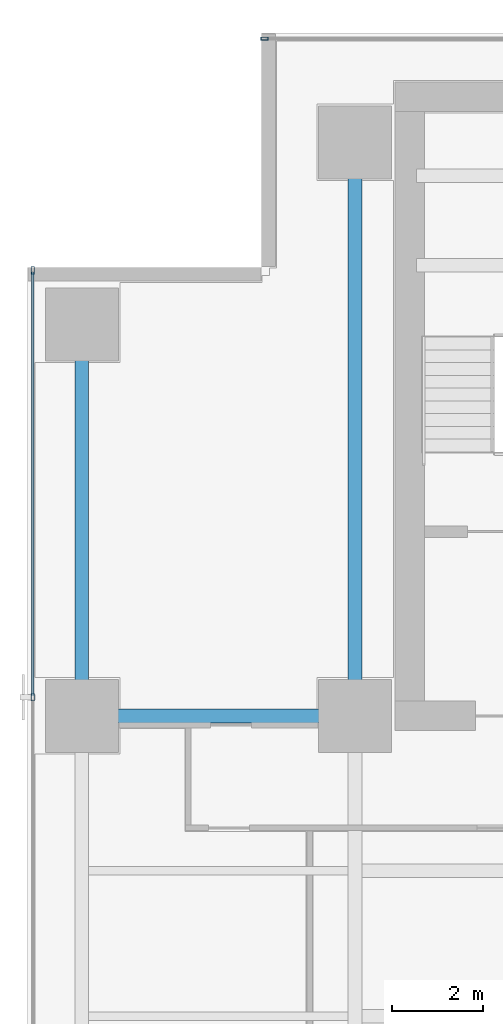
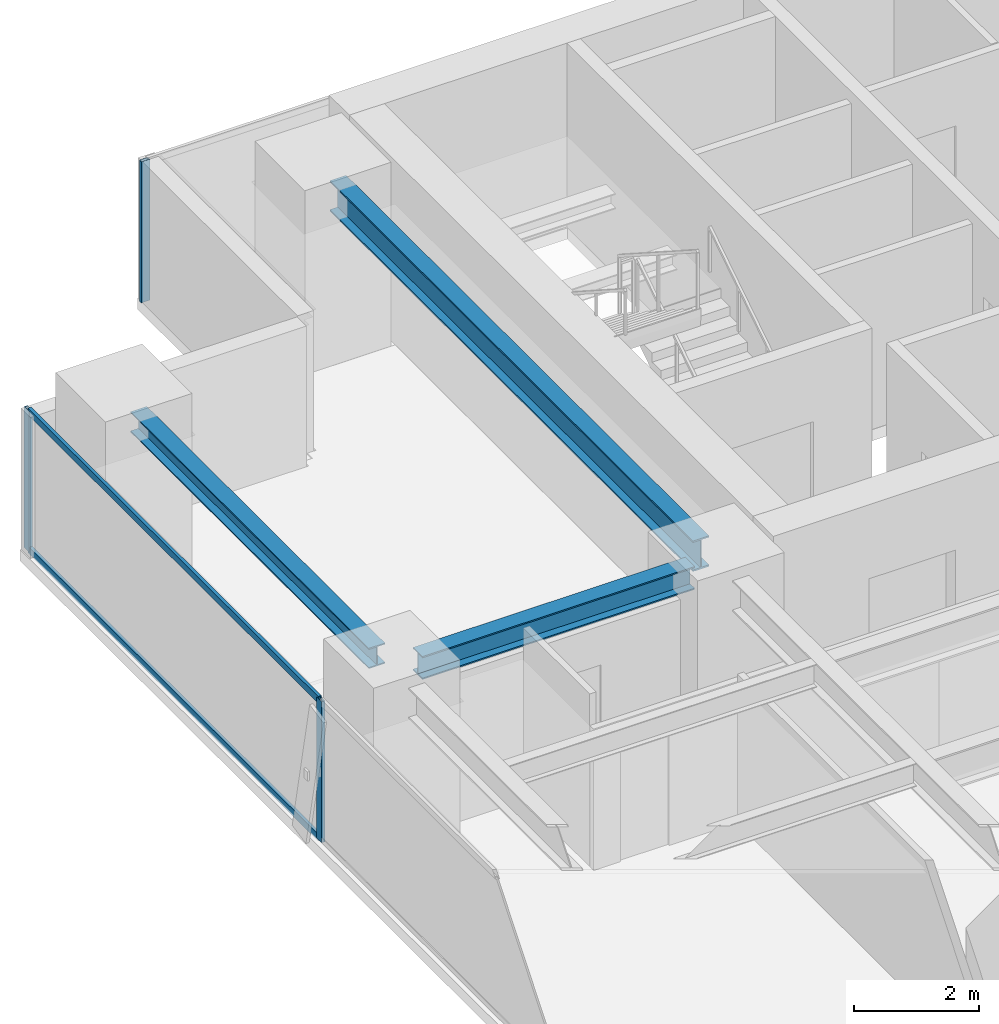
# One storey, part 14 of 28: 5 members, 3 beams, 2 elements without a shape of their own.
"""IFC4 building model written with IfcOpenShell, lengths in metres."""

from ifc_helpers import new_model, si_unit, direction, frame, origin, origin_2d, place, context, subcontext, project, spatial, hollow_rectangle, i_section, extrude, source, transform, mapped, material, layer, layer_set, material_profile, profile_set, type_object, element, aggregate, save


model = new_model("IFC4")

# Units and contexts
model_context = context("Model", 3, precision=1e-05, world=origin(), true_north=direction((0.0, 1.0)))
body_context = subcontext(model_context, "Body", "Model", "MODEL_VIEW")
ifc_project = project(units=[si_unit("LENGTHUNIT", "METRE"), si_unit("AREAUNIT", "SQUARE_METRE"), si_unit("VOLUMEUNIT", "CUBIC_METRE"), si_unit("PLANEANGLEUNIT", "RADIAN"), si_unit("MASSUNIT", "GRAM", prefix="KILO")], contexts=[model_context])

# Site, building, storey
site_placement = place(None, origin())
site = spatial("IfcSite", under=ifc_project, at=site_placement, CompositionType="ELEMENT")
building_placement = place(site_placement, origin())
building = spatial("IfcBuilding", under=site, at=building_placement, Name="Sumidabori Civic Tower", CompositionType="ELEMENT")
storey_placement = place(building_placement, frame((0.0, 0.0, 182.0)))
storey = spatial("IfcBuildingStorey", under=building, at=storey_placement, Name="L47", CompositionType="ELEMENT", Elevation=182.0)

# Beams
ifc_material_1 = material(Name="Steel SN490", Category="steel")
ifc_material_profile_1 = material_profile(ifc_material_1, i_section(OverallWidth=0.300048828125, OverallDepth=0.39990234375, WebThickness=0.013427734375, FlangeThickness=0.02392578125, at=origin_2d()), Name="HE 400 B")
ifc_profile_set_1 = profile_set([ifc_material_profile_1], Name="Steel SN490")
beam_type_1 = type_object("IfcBeamType", Name="BM-GIRD-400", PredefinedType="BEAM", material=ifc_profile_set_1)
shared_shape_1 = source(origin(), body_context, "Body", "SweptSolid", [
    extrude(i_section(OverallWidth=0.300048828125, OverallDepth=0.39990234375, WebThickness=0.013427734375, FlangeThickness=0.02392578125, at=origin_2d()), origin(), (0.0, 0.0, 1.0), 7.64013671875),
])
beam_1_placement = place(storey_placement, frame((-22.800048828125, 10.679931640625, 3.179931640625), z_axis=(0.0, 1.0, 0.0), x_axis=(-1.0, 0.0, 0.0)))
element("IfcBeam", 1, at=beam_1_placement, inside=storey, type_object=beam_type_1, Name="Primary Girder L47 GY-21", PredefinedType="BEAM", context=body_context, shape_type="MappedRepresentation", body=[
    mapped(shared_shape_1, transform((0.0, 0.0, 0.0), x_axis=(1.0, 0.0, 0.0), y_axis=(0.0, 1.0, 0.0), z_axis=(0.0, 0.0, 1.0), scale=1.0)),
])
ifc_material_profile_2 = material_profile(ifc_material_1, i_section(OverallWidth=0.300048828125, OverallDepth=0.60009765625, WebThickness=0.015380859375, FlangeThickness=0.030029296875, at=origin_2d()), Name="HE 600 B")
ifc_profile_set_2 = profile_set([ifc_material_profile_2], Name="Steel SN490")
beam_type_2 = type_object("IfcBeamType", Name="BM-GIRD-600", PredefinedType="BEAM", material=ifc_profile_set_2)
shared_shape_2 = source(origin(), body_context, "Body", "SweptSolid", [
    extrude(i_section(OverallWidth=0.300048828125, OverallDepth=0.60009765625, WebThickness=0.015380859375, FlangeThickness=0.030029296875, at=origin_2d()), origin(), (0.0, 0.0, 1.0), 11.64013671875),
])
beam_2_placement = place(storey_placement, frame((-16.800048828125, 10.679931640625, 3.080078125), z_axis=(0.0, 1.0, 0.0), x_axis=(-1.0, 0.0, 0.0)))
element("IfcBeam", 2, at=beam_2_placement, inside=storey, type_object=beam_type_2, Name="Primary Girder L47 GY-25", PredefinedType="BEAM", context=body_context, shape_type="MappedRepresentation", body=[
    mapped(shared_shape_2, transform((0.0, 0.0, 0.0), x_axis=(1.0, 0.0, 0.0), y_axis=(0.0, 1.0, 0.0), z_axis=(0.0, 0.0, 1.0), scale=1.0)),
])
ifc_material_profile_3 = material_profile(ifc_material_1, i_section(OverallWidth=0.300048828125, OverallDepth=0.449951171875, WebThickness=0.013916015625, FlangeThickness=0.02587890625, at=origin_2d()), Name="HE 450 B")
ifc_profile_set_3 = profile_set([ifc_material_profile_3], Name="Steel SN490")
beam_type_3 = type_object("IfcBeamType", Name="BM-GIRD-450", PredefinedType="BEAM", material=ifc_profile_set_3)
shared_shape_3 = source(origin(), body_context, "Body", "SweptSolid", [
    extrude(i_section(OverallWidth=0.300048828125, OverallDepth=0.449951171875, WebThickness=0.013916015625, FlangeThickness=0.02587890625, at=origin_2d()), origin(), (0.0, 0.0, 1.0), 5.0400390625),
])
beam_3_placement = place(storey_placement, frame((-22.320068359375, 10.199951171875, 3.155029296875), z_axis=(1.0, 0.0, 0.0), x_axis=(0.0, 1.0, 0.0)))
element("IfcBeam", 3, at=beam_3_placement, inside=storey, type_object=beam_type_3, Name="Primary Girder L47 GX-17", PredefinedType="BEAM", context=body_context, shape_type="MappedRepresentation", body=[
    mapped(shared_shape_3, transform((0.0, 0.0, 0.0), x_axis=(1.0, 0.0, 0.0), y_axis=(0.0, 1.0, 0.0), z_axis=(0.0, 0.0, 1.0), scale=1.0)),
])

# Curtain wall, member
ifc_material_2 = material(Name="Anodised Bronze Aluminium AW-6063-T6", Category="aluminium")
ifc_layer = layer(ifc_material_2, 0.179931640625, Name="Anodised Bronze Aluminium AW-6063-T6")
ifc_layer_set = layer_set([ifc_layer], Name="Anodised Bronze Aluminium AW-6063-T6")
curtain_wall_type = type_object("IfcCurtainWallType", Name="CW-SYS-3", PredefinedType="NOTDEFINED", material=ifc_layer_set)
curtain_wall_1_placement = place(storey_placement, origin())
curtain_wall_1 = element("IfcCurtainWall", 4, at=curtain_wall_1_placement, inside=storey, type_object=curtain_wall_type, Name="Curtain Wall CW:L47:R07", PredefinedType="NOTDEFINED")
ifc_material_profile_4 = material_profile(ifc_material_2, hollow_rectangle(XDim=0.06494140625, YDim=0.159912109375, WallThickness=0.0048828125, at=origin_2d()), Name="ALU MULLION 160x65")
ifc_profile_set_4 = profile_set([ifc_material_profile_4], Name="Anodised Bronze Aluminium AW-6063-T6")
member_type_1 = type_object("IfcMemberType", Name="CW-MUL-160", PredefinedType="MULLION", material=ifc_profile_set_4)
shared_shape_4 = source(origin(), body_context, "Body", "SweptSolid", [
    extrude(hollow_rectangle(XDim=0.06494140625, YDim=0.159912109375, WallThickness=0.0048828125, at=origin_2d()), origin(), (0.0, 0.0, 1.0), 2.760009765625),
])
member_1_placement = place(storey_placement, frame((-18.78759765625, 25.080078125, 0.0), z_axis=(0.0, 0.0, 1.0), x_axis=(0.0, -1.0, 0.0)))
member_1 = element("IfcMember", 5, at=member_1_placement, type_object=member_type_1, Name="CW-3 mullion 5", PredefinedType="MULLION", context=body_context, shape_type="MappedRepresentation", body=[
    mapped(shared_shape_4, transform((0.0, 0.0, 0.0), x_axis=(1.0, 0.0, 0.0), y_axis=(0.0, 1.0, 0.0), z_axis=(0.0, 0.0, 1.0), scale=1.0)),
])
aggregate(curtain_wall_1, [member_1])

# Curtain wall, members
curtain_wall_2_placement = place(storey_placement, origin())
curtain_wall_2 = element("IfcCurtainWall", 6, at=curtain_wall_2_placement, inside=storey, type_object=curtain_wall_type, Name="Curtain Wall CW:L47:R10", PredefinedType="NOTDEFINED")
member_2_placement = place(storey_placement, frame((-23.8798828125, 19.987548828125, 0.0), z_axis=(0.0, 0.0, 1.0), x_axis=(1.0, 0.0, 0.0)))
member_2 = element("IfcMember", 7, at=member_2_placement, type_object=member_type_1, Name="CW-3 mullion 1", PredefinedType="MULLION", context=body_context, shape_type="MappedRepresentation", body=[
    mapped(shared_shape_4, transform((0.0, 0.0, 0.0), x_axis=(1.0, 0.0, 0.0), y_axis=(0.0, 1.0, 0.0), z_axis=(0.0, 0.0, 1.0), scale=1.0)),
])
member_3_placement = place(storey_placement, frame((-23.8798828125, 10.610107421875, 0.0), z_axis=(0.0, 0.0, 1.0), x_axis=(1.0, 0.0, 0.0)))
member_3 = element("IfcMember", 8, at=member_3_placement, type_object=member_type_1, Name="CW-3 mullion 2", PredefinedType="MULLION", context=body_context, shape_type="MappedRepresentation", body=[
    mapped(shared_shape_4, transform((0.0, 0.0, 0.0), x_axis=(1.0, 0.0, 0.0), y_axis=(0.0, 1.0, 0.0), z_axis=(0.0, 0.0, 1.0), scale=1.0)),
])
ifc_material_profile_5 = material_profile(ifc_material_2, hollow_rectangle(XDim=0.06005859375, YDim=0.1298828125, WallThickness=0.0048828125, at=origin_2d()), Name="ALU TRANSOM 130x60")
ifc_profile_set_5 = profile_set([ifc_material_profile_5], Name="Anodised Bronze Aluminium AW-6063-T6")
member_type_2 = type_object("IfcMemberType", Name="CW-TRN-130", PredefinedType="USERDEFINED", material=ifc_profile_set_5)
shared_shape_5 = source(origin(), body_context, "Body", "SweptSolid", [
    extrude(hollow_rectangle(XDim=0.06005859375, YDim=0.1298828125, WallThickness=0.0048828125, at=origin_2d()), origin(), (0.0, 0.0, 1.0), 9.3125),
])
member_4_placement = place(storey_placement, frame((-23.8798828125, 19.955078125, 0.030029296875), z_axis=(0.0, -1.0, 0.0), x_axis=(1.0, 0.0, 0.0)))
member_4 = element("IfcMember", 9, at=member_4_placement, type_object=member_type_2, Name="CW-3 transom 1.1", ObjectType="TRANSOM", PredefinedType="USERDEFINED", context=body_context, shape_type="MappedRepresentation", body=[
    mapped(shared_shape_5, transform((0.0, 0.0, 0.0), x_axis=(1.0, 0.0, 0.0), y_axis=(0.0, 1.0, 0.0), z_axis=(0.0, 0.0, 1.0), scale=1.0)),
])
member_5_placement = place(storey_placement, frame((-23.8798828125, 19.955078125, 2.72998046875), z_axis=(0.0, -1.0, 0.0), x_axis=(1.0, 0.0, 0.0)))
member_5 = element("IfcMember", 10, at=member_5_placement, type_object=member_type_2, Name="CW-3 transom 1.2", ObjectType="TRANSOM", PredefinedType="USERDEFINED", context=body_context, shape_type="MappedRepresentation", body=[
    mapped(shared_shape_5, transform((0.0, 0.0, 0.0), x_axis=(1.0, 0.0, 0.0), y_axis=(0.0, 1.0, 0.0), z_axis=(0.0, 0.0, 1.0), scale=1.0)),
])
aggregate(curtain_wall_2, [member_2, member_3, member_4, member_5])

save(model, "model.ifc")
